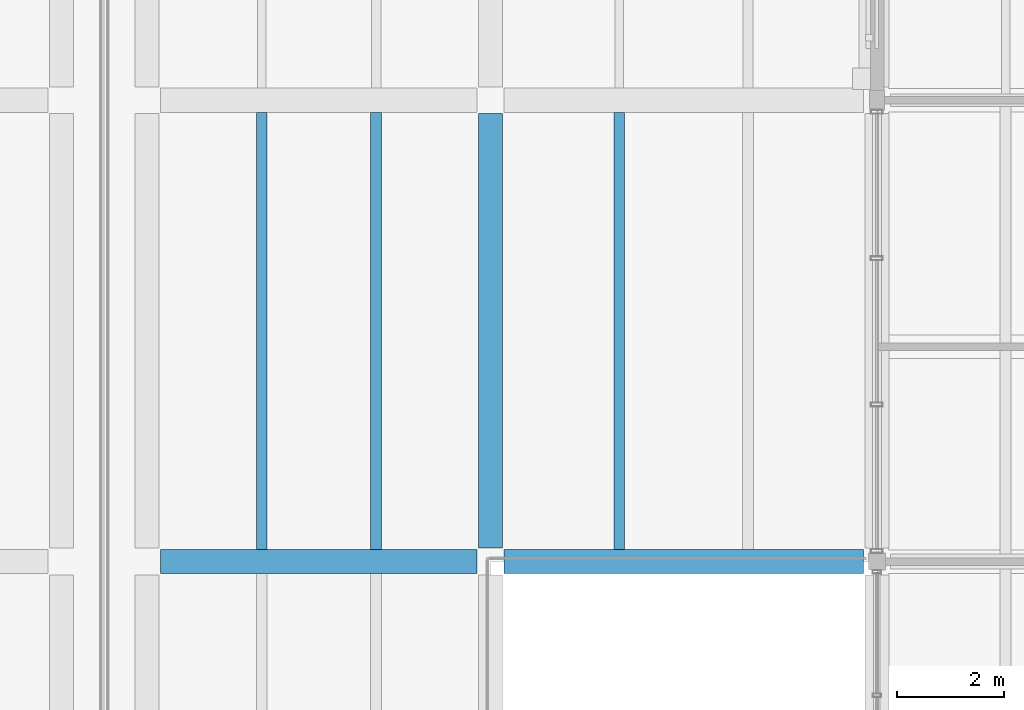
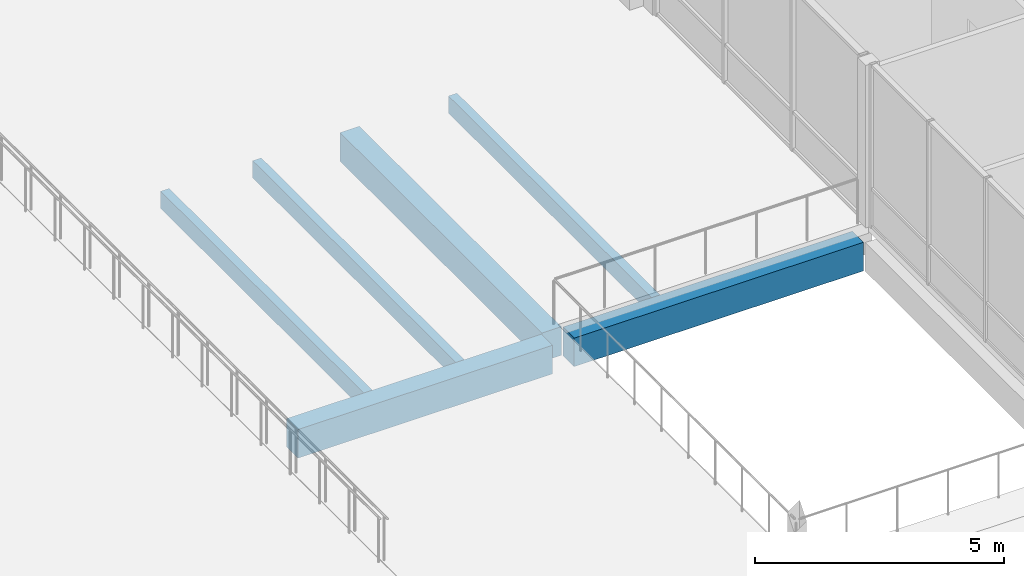
# One storey, part 58 of 115: 6 beams.
"""IFC4 building model written with IfcOpenShell, lengths in metres."""

import ifcopenshell
import ifcopenshell.guid

model = None  # the IFC model being written
_history = None  # IfcOwnerHistory: only IFC2X3 demands one
_inside = {}  # id of a spatial element -> (the spatial element, [elements in it])
_under = {}  # id of a project, library or spatial element -> (it, [spatial elements below it])
_declared = {}  # id of a project -> (the project, [libraries it declares])
_typed = {}  # id of a type object -> (the type object, [elements of that type])
_made_of = {}  # id of a material, layer set ... -> (it, [elements and type objects made of it])


def new_model(schema):
    """Start an empty IFC model of exactly this schema.

    Asked for "IFC4X3", IfcOpenShell would pick the latest addendum, in which some entities
    have other attributes; the version numbers below select the first issue.
    IFC2X3 requires an IfcOwnerHistory on every rooted entity: one is made here for all.
    """
    global model, _history
    if schema == "IFC4X3":
        model = ifcopenshell.file(schema_version=(4, 3, 0, 0))
    else:
        model = ifcopenshell.file(schema=schema)
    _inside.clear()
    _under.clear()
    _declared.clear()
    _typed.clear()
    _made_of.clear()
    _history = None
    if model.schema == "IFC2X3":
        org = make("IfcOrganization", Name="unknown")
        user = make(
            "IfcPersonAndOrganization",
            ThePerson=make("IfcPerson", FamilyName="unknown"),
            TheOrganization=org,
        )
        app = make(
            "IfcApplication",
            ApplicationDeveloper=org,
            Version="unknown",
            ApplicationFullName="unknown",
            ApplicationIdentifier="unknown",
        )
        _history = make(
            "IfcOwnerHistory",
            OwningUser=user,
            OwningApplication=app,
            ChangeAction="ADDED",
            CreationDate=0,
        )
    return model


def make(cls, **values):
    """One entity of the class cls with the attributes given. An attribute that is None is left unset."""
    return model.create_entity(
        cls, **{name: value for name, value in values.items() if value is not None}
    )


def rooted(cls, **values):
    """An entity with a GlobalId (a new one), such as an element, a storey or a relation."""
    return make(cls, GlobalId=ifcopenshell.guid.new(), OwnerHistory=_history, **values)


def si_unit(unit_type, name, prefix=None):
    """IfcSIUnit, for example si_unit("LENGTHUNIT", "METRE", prefix="MILLI")."""
    return make("IfcSIUnit", UnitType=unit_type, Prefix=prefix, Name=name)


def assignment(units):
    """IfcUnitAssignment: the units of a project."""
    return None if units is None else make("IfcUnitAssignment", Units=units)


def point(xyz):
    """IfcCartesianPoint."""
    return None if xyz is None else make("IfcCartesianPoint", Coordinates=xyz)


def direction(xyz):
    """IfcDirection."""
    return None if xyz is None else make("IfcDirection", DirectionRatios=xyz)


def frame(location, z_axis=None, x_axis=None):
    """IfcAxis2Placement3D, a coordinate frame: its origin and axes. An axis left out is left unset."""
    return make(
        "IfcAxis2Placement3D",
        Location=point(location),
        Axis=direction(z_axis),
        RefDirection=direction(x_axis),
    )


def frame_2d(location, x_axis=None):
    """IfcAxis2Placement2D, a coordinate frame in the plane: its origin and x axis."""
    return make(
        "IfcAxis2Placement2D", Location=point(location), RefDirection=direction(x_axis)
    )


def origin():
    """The frame at (0, 0, 0) with its axes left unset."""
    return frame((0.0, 0.0, 0.0))


def origin_2d():
    """The frame at (0, 0) in the plane with its x axis left unset."""
    return frame_2d((0.0, 0.0))


def place(relative_to, where):
    """IfcLocalPlacement: puts the frame where relative to a parent placement (None: the world)."""
    return make(
        "IfcLocalPlacement", PlacementRelTo=relative_to, RelativePlacement=where
    )


def context(
    kind, dimensions, precision=None, world=None, true_north=None, identifier=None
):
    """IfcGeometricRepresentationContext, for example the 3D "Model" context."""
    return make(
        "IfcGeometricRepresentationContext",
        ContextIdentifier=identifier,
        ContextType=kind,
        CoordinateSpaceDimension=dimensions,
        Precision=precision,
        WorldCoordinateSystem=world,
        TrueNorth=true_north,
    )


def subcontext(parent, identifier, kind, view, scale=None):
    """IfcGeometricRepresentationSubContext, for example "Body" below "Model"."""
    return make(
        "IfcGeometricRepresentationSubContext",
        ContextIdentifier=identifier,
        ContextType=kind,
        ParentContext=parent,
        TargetScale=scale,
        TargetView=view,
    )


def project(units=None, contexts=None):
    """IfcProject with its units and contexts."""
    return rooted(
        "IfcProject",
        Name="project",
        RepresentationContexts=contexts,
        UnitsInContext=assignment(units),
    )


def spatial(cls, under=None, at=None, **own):
    """A site, building, storey or space (cls), placed at a placement, below another one or the project."""
    s = rooted(cls, ObjectPlacement=at, **own)
    if under is not None:
        _under.setdefault(under.id(), (under, []))[1].append(s)
    return s


def profile(cls, at=None, kind="AREA", **sizes):
    """A parametric profile (cls). Its sizes go by their IFC names, for example OverallWidth=200.0."""
    return make(cls, ProfileType=kind, Position=at, **sizes)


def rectangle(**sizes):
    """IfcRectangleProfileDef."""
    return profile("IfcRectangleProfileDef", **sizes)


def extrude(swept, where, along, depth):
    """IfcExtrudedAreaSolid: the profile swept, set in the frame where, extruded along a direction by depth."""
    return make(
        "IfcExtrudedAreaSolid",
        SweptArea=swept,
        Position=where,
        ExtrudedDirection=direction(along),
        Depth=depth,
    )


def shape(context_of_items, identifier, shape_type, items):
    """IfcShapeRepresentation: the items that make up one representation, for example the "Body"."""
    return make(
        "IfcShapeRepresentation",
        ContextOfItems=context_of_items,
        RepresentationIdentifier=identifier,
        RepresentationType=shape_type,
        Items=items,
    )


def material(Name=None, Category=None):
    """IfcMaterial."""
    return make("IfcMaterial", Name=Name, Category=Category)


def material_profile(
    of_material, cross_section, Name=None, Category=None, Priority=None
):
    """IfcMaterialProfile: a cross section and its material."""
    return make(
        "IfcMaterialProfile",
        Name=Name,
        Material=of_material,
        Profile=cross_section,
        Priority=Priority,
        Category=Category,
    )


def profile_set(profiles, Name=None, composite=None):
    """IfcMaterialProfileSet."""
    return make(
        "IfcMaterialProfileSet",
        Name=Name,
        MaterialProfiles=profiles,
        CompositeProfile=composite,
    )


def made_of(thing, what):
    """Note that an element or type object is made of a material, layer set ...; save() writes the relation."""
    if what is not None:
        _made_of.setdefault(what.id(), (what, []))[1].append(thing)
    return thing


def type_object(cls, material=None, **own):
    """A type object (cls), such as IfcWallType, which elements share."""
    return made_of(rooted(cls, **own), material)


def element(
    cls,
    number,
    at=None,
    inside=None,
    cuts=None,
    type_object=None,
    material=None,
    context=None,
    identifier="Body",
    shape_type=None,
    held_by="IfcProductDefinitionShape",
    body=None,
    shapes=None,
    **own,
):
    """One element of the class cls, such as IfcWall. Its Tag is "e" and its number.

    at: its placement. inside: the storey or other place that contains it. cuts: it is an
    opening in that element (IfcRelVoidsElement). A single representation is given by context,
    identifier, shape_type and body (its items); several are given by shapes. held_by: the class
    of the entity that holds the representations. save() writes the other relations.
    """
    e = rooted(cls, Tag="e%d" % number, ObjectPlacement=at, **own)
    if body is not None:
        shapes = [shape(context, identifier, shape_type, body)]
    if shapes is not None:
        e.Representation = make(held_by, Representations=shapes)
    if inside is not None:
        _inside.setdefault(inside.id(), (inside, []))[1].append(e)
    if cuts is not None:
        rooted(
            "IfcRelVoidsElement", RelatingBuildingElement=cuts, RelatedOpeningElement=e
        )
    if type_object is not None:
        _typed.setdefault(type_object.id(), (type_object, []))[1].append(e)
    return made_of(e, material)


def aggregate(whole, parts):
    """IfcRelAggregates: a whole, such as a stair, and the parts it consists of."""
    return rooted("IfcRelAggregates", RelatingObject=whole, RelatedObjects=parts)


def save(model, path):
    """Write the relations noted so far, then the file.

    IfcRelAggregates (storeys below a building ...), IfcRelContainedInSpatialStructure (elements
    in a storey), IfcRelDefinesByType, IfcRelAssociatesMaterial and IfcRelDeclares: one each for
    every whole, place, type object, material and project.
    """
    for whole, parts in _under.values():
        aggregate(whole, parts)
    for where, things in _inside.values():
        rooted(
            "IfcRelContainedInSpatialStructure",
            RelatedElements=things,
            RelatingStructure=where,
        )
    for kind, things in _typed.values():
        rooted("IfcRelDefinesByType", RelatedObjects=things, RelatingType=kind)
    for what, things in _made_of.values():
        rooted("IfcRelAssociatesMaterial", RelatedObjects=things, RelatingMaterial=what)
    for by, libraries in _declared.values():
        rooted("IfcRelDeclares", RelatingContext=by, RelatedDefinitions=libraries)
    model.write(path)


model = new_model("IFC4")

# Units and contexts
model_context = context("Model", 3, precision=1e-05, world=origin(), true_north=direction((0.0, 1.0)))
body_context = subcontext(model_context, "Body", "Model", "MODEL_VIEW")
ifc_project = project(units=[si_unit("LENGTHUNIT", "METRE"), si_unit("AREAUNIT", "SQUARE_METRE"), si_unit("VOLUMEUNIT", "CUBIC_METRE"), si_unit("PLANEANGLEUNIT", "RADIAN"), si_unit("MASSUNIT", "GRAM", prefix="KILO")], contexts=[model_context])

# Site, building, storey
site_placement = place(None, origin())
site = spatial("IfcSite", under=ifc_project, at=site_placement, CompositionType="ELEMENT")
building_placement = place(site_placement, origin())
building = spatial("IfcBuilding", under=site, at=building_placement, Name="Hawrajan Terrace Health Centre", CompositionType="ELEMENT")
storey_placement = place(building_placement, frame((0.0, 0.0, 9.0)))
storey = spatial("IfcBuildingStorey", under=building, at=storey_placement, Name="L02", CompositionType="ELEMENT", Elevation=9.0)

# Beams
ifc_material_1 = material(Name="Glulam GL28h", Category="wood")
ifc_material_profile_1 = material_profile(ifc_material_1, rectangle(XDim=0.199951171875, YDim=0.419921875, at=origin_2d()), Name="GL JST 200x420")
ifc_profile_set_1 = profile_set([ifc_material_profile_1], Name="Glulam GL28h")
beam_type_1 = type_object("IfcBeamType", Name="GlulamJoist_200x420", PredefinedType="JOIST", material=ifc_profile_set_1)
for number, where, z_axis, x_axis, name in (
    (1, (132.333251953125, 37.02490234375, -0.489990234375), (0.0, 1.0, 0.0), (-1.0, 0.0, 0.0), "Secondary joist JST-L02-E-17-5-1"),
    (2, (134.466796875, 37.02490234375, -0.489990234375), (0.0, 1.0, 0.0), (-1.0, 0.0, 0.0), "Secondary joist JST-L02-E-17-5-2"),
    (3, (139.0, 37.02490234375, -0.489990234375), (0.0, 1.0, 0.0), (-1.0, 0.0, 0.0), "Secondary joist JST-L02-E-18-5-1"),
):
    element("IfcBeam", number, at=place(storey_placement, frame(where, z_axis=z_axis, x_axis=x_axis)), inside=storey, type_object=beam_type_1, Name=name, PredefinedType="JOIST", context=body_context, shape_type="SweptSolid", body=[
        extrude(rectangle(XDim=0.199951171875, YDim=0.419921875, at=origin_2d()), origin(), (0.0, 0.0, 1.0), 8.150146484375),
    ])
ifc_material_2 = material(Name="Concrete C40/50", Category="concrete")
ifc_material_profile_2 = material_profile(ifc_material_2, rectangle(XDim=0.449951171875, YDim=0.699951171875, at=origin_2d()), Name="RC BM 450x700")
ifc_profile_set_2 = profile_set([ifc_material_profile_2], Name="Concrete C40/50")
beam_type_2 = type_object("IfcBeamType", Name="RCGirder_450x700", PredefinedType="BEAM", material=ifc_profile_set_2)
beam_1_placement = place(storey_placement, frame((130.449951171875, 36.800048828125, -0.6298828125), z_axis=(1.0, 0.0, 0.0), x_axis=(0.0, 1.0, 0.0)))
element("IfcBeam", 4, at=beam_1_placement, inside=storey, type_object=beam_type_2, Name="Beam BM-X-L02-E-17-Y5", PredefinedType="BEAM", context=body_context, shape_type="SweptSolid", body=[
    extrude(rectangle(XDim=0.449951171875, YDim=0.699951171875, at=origin_2d()), origin(), (0.0, 0.0, 1.0), 5.900146484375),
])
beam_2_placement = place(storey_placement, frame((136.85009765625, 36.800048828125, -0.6298828125), z_axis=(1.0, 0.0, 0.0), x_axis=(0.0, 1.0, 0.0)))
element("IfcBeam", 5, at=beam_2_placement, inside=storey, type_object=beam_type_2, Name="Beam BM-X-L02-E-18-Y5", PredefinedType="BEAM", context=body_context, shape_type="SweptSolid", body=[
    extrude(rectangle(XDim=0.449951171875, YDim=0.699951171875, at=origin_2d()), origin(), (0.0, 0.0, 1.0), 6.699951171875),
])
beam_3_placement = place(storey_placement, frame((136.60009765625, 37.050048828125, -0.6298828125), z_axis=(0.0, 1.0, 0.0), x_axis=(-1.0, 0.0, 0.0)))
element("IfcBeam", 6, at=beam_3_placement, inside=storey, type_object=beam_type_2, Name="Beam BM-Y-L02-E-X18-5", PredefinedType="BEAM", context=body_context, shape_type="SweptSolid", body=[
    extrude(rectangle(XDim=0.449951171875, YDim=0.699951171875, at=origin_2d()), origin(), (0.0, 0.0, 1.0), 8.099853515625),
])

save(model, "model.ifc")
